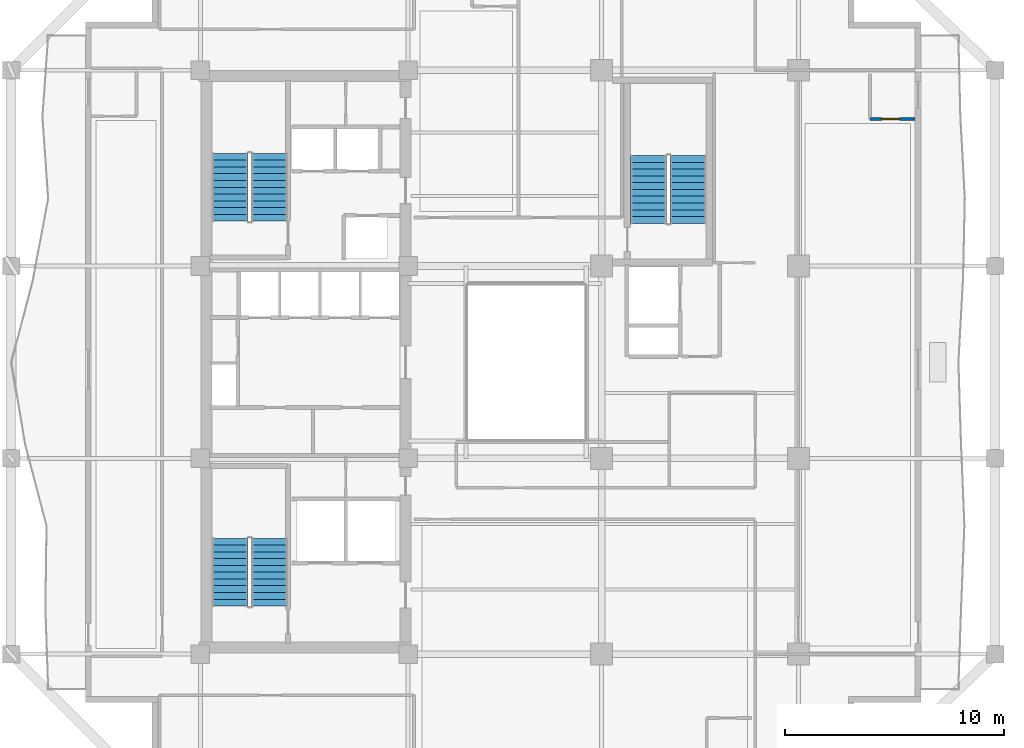
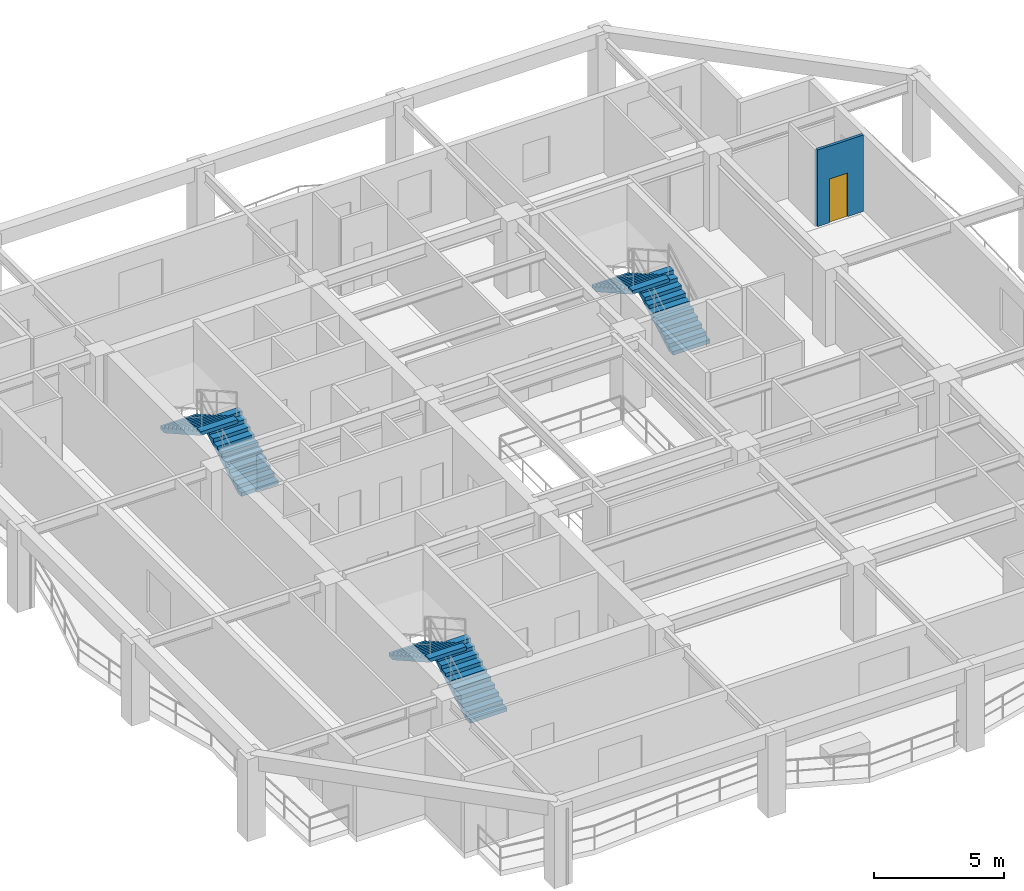
# One storey, part 6 of 10: 6 stair flights, 1 door, 1 wall, 1 opening, 3 elements without a shape of their own.
"""IFC4 building model written with IfcOpenShell, lengths in metres."""

import ifcopenshell
import ifcopenshell.guid

model = None  # the IFC model being written
_history = None  # IfcOwnerHistory: only IFC2X3 demands one
_inside = {}  # id of a spatial element -> (the spatial element, [elements in it])
_under = {}  # id of a project, library or spatial element -> (it, [spatial elements below it])
_declared = {}  # id of a project -> (the project, [libraries it declares])
_typed = {}  # id of a type object -> (the type object, [elements of that type])
_made_of = {}  # id of a material, layer set ... -> (it, [elements and type objects made of it])


def new_model(schema):
    """Start an empty IFC model of exactly this schema.

    Asked for "IFC4X3", IfcOpenShell would pick the latest addendum, in which some entities
    have other attributes; the version numbers below select the first issue.
    IFC2X3 requires an IfcOwnerHistory on every rooted entity: one is made here for all.
    """
    global model, _history
    if schema == "IFC4X3":
        model = ifcopenshell.file(schema_version=(4, 3, 0, 0))
    else:
        model = ifcopenshell.file(schema=schema)
    _inside.clear()
    _under.clear()
    _declared.clear()
    _typed.clear()
    _made_of.clear()
    _history = None
    if model.schema == "IFC2X3":
        org = make("IfcOrganization", Name="unknown")
        user = make(
            "IfcPersonAndOrganization",
            ThePerson=make("IfcPerson", FamilyName="unknown"),
            TheOrganization=org,
        )
        app = make(
            "IfcApplication",
            ApplicationDeveloper=org,
            Version="unknown",
            ApplicationFullName="unknown",
            ApplicationIdentifier="unknown",
        )
        _history = make(
            "IfcOwnerHistory",
            OwningUser=user,
            OwningApplication=app,
            ChangeAction="ADDED",
            CreationDate=0,
        )
    return model


def make(cls, **values):
    """One entity of the class cls with the attributes given. An attribute that is None is left unset."""
    return model.create_entity(
        cls, **{name: value for name, value in values.items() if value is not None}
    )


def rooted(cls, **values):
    """An entity with a GlobalId (a new one), such as an element, a storey or a relation."""
    return make(cls, GlobalId=ifcopenshell.guid.new(), OwnerHistory=_history, **values)


def si_unit(unit_type, name, prefix=None):
    """IfcSIUnit, for example si_unit("LENGTHUNIT", "METRE", prefix="MILLI")."""
    return make("IfcSIUnit", UnitType=unit_type, Prefix=prefix, Name=name)


def assignment(units):
    """IfcUnitAssignment: the units of a project."""
    return None if units is None else make("IfcUnitAssignment", Units=units)


def point(xyz):
    """IfcCartesianPoint."""
    return None if xyz is None else make("IfcCartesianPoint", Coordinates=xyz)


def direction(xyz):
    """IfcDirection."""
    return None if xyz is None else make("IfcDirection", DirectionRatios=xyz)


def frame(location, z_axis=None, x_axis=None):
    """IfcAxis2Placement3D, a coordinate frame: its origin and axes. An axis left out is left unset."""
    return make(
        "IfcAxis2Placement3D",
        Location=point(location),
        Axis=direction(z_axis),
        RefDirection=direction(x_axis),
    )


def frame_2d(location, x_axis=None):
    """IfcAxis2Placement2D, a coordinate frame in the plane: its origin and x axis."""
    return make(
        "IfcAxis2Placement2D", Location=point(location), RefDirection=direction(x_axis)
    )


def origin():
    """The frame at (0, 0, 0) with its axes left unset."""
    return frame((0.0, 0.0, 0.0))


def place(relative_to, where):
    """IfcLocalPlacement: puts the frame where relative to a parent placement (None: the world)."""
    return make(
        "IfcLocalPlacement", PlacementRelTo=relative_to, RelativePlacement=where
    )


def context(
    kind, dimensions, precision=None, world=None, true_north=None, identifier=None
):
    """IfcGeometricRepresentationContext, for example the 3D "Model" context."""
    return make(
        "IfcGeometricRepresentationContext",
        ContextIdentifier=identifier,
        ContextType=kind,
        CoordinateSpaceDimension=dimensions,
        Precision=precision,
        WorldCoordinateSystem=world,
        TrueNorth=true_north,
    )


def subcontext(parent, identifier, kind, view, scale=None):
    """IfcGeometricRepresentationSubContext, for example "Body" below "Model"."""
    return make(
        "IfcGeometricRepresentationSubContext",
        ContextIdentifier=identifier,
        ContextType=kind,
        ParentContext=parent,
        TargetScale=scale,
        TargetView=view,
    )


def project(units=None, contexts=None):
    """IfcProject with its units and contexts."""
    return rooted(
        "IfcProject",
        Name="project",
        RepresentationContexts=contexts,
        UnitsInContext=assignment(units),
    )


def spatial(cls, under=None, at=None, **own):
    """A site, building, storey or space (cls), placed at a placement, below another one or the project."""
    s = rooted(cls, ObjectPlacement=at, **own)
    if under is not None:
        _under.setdefault(under.id(), (under, []))[1].append(s)
    return s


def polyline(points):
    """IfcPolyline through the points."""
    return make("IfcPolyline", Points=[point(p) for p in points])


def profile(cls, at=None, kind="AREA", **sizes):
    """A parametric profile (cls). Its sizes go by their IFC names, for example OverallWidth=200.0."""
    return make(cls, ProfileType=kind, Position=at, **sizes)


def rectangle(**sizes):
    """IfcRectangleProfileDef."""
    return profile("IfcRectangleProfileDef", **sizes)


def outline(outer, holes=None, kind="AREA"):
    """IfcArbitraryClosedProfileDef: a profile drawn as a closed curve; with holes, ...WithVoids."""
    if holes is None:
        return make("IfcArbitraryClosedProfileDef", ProfileType=kind, OuterCurve=outer)
    return make(
        "IfcArbitraryProfileDefWithVoids",
        ProfileType=kind,
        OuterCurve=outer,
        InnerCurves=holes,
    )


def extrude(swept, where, along, depth):
    """IfcExtrudedAreaSolid: the profile swept, set in the frame where, extruded along a direction by depth."""
    return make(
        "IfcExtrudedAreaSolid",
        SweptArea=swept,
        Position=where,
        ExtrudedDirection=direction(along),
        Depth=depth,
    )


def shape(context_of_items, identifier, shape_type, items):
    """IfcShapeRepresentation: the items that make up one representation, for example the "Body"."""
    return make(
        "IfcShapeRepresentation",
        ContextOfItems=context_of_items,
        RepresentationIdentifier=identifier,
        RepresentationType=shape_type,
        Items=items,
    )


def material(Name=None, Category=None):
    """IfcMaterial."""
    return make("IfcMaterial", Name=Name, Category=Category)


def layer(
    of_material, thickness, ventilated=None, Name=None, Category=None, Priority=None
):
    """IfcMaterialLayer: one layer of a wall or slab, of a material (None: an air gap)."""
    return make(
        "IfcMaterialLayer",
        Material=of_material,
        LayerThickness=thickness,
        IsVentilated=ventilated,
        Name=Name,
        Category=Category,
        Priority=Priority,
    )


def layer_set(layers, Name=None):
    """IfcMaterialLayerSet."""
    return make("IfcMaterialLayerSet", MaterialLayers=layers, LayerSetName=Name)


def made_of(thing, what):
    """Note that an element or type object is made of a material, layer set ...; save() writes the relation."""
    if what is not None:
        _made_of.setdefault(what.id(), (what, []))[1].append(thing)
    return thing


def type_object(cls, material=None, **own):
    """A type object (cls), such as IfcWallType, which elements share."""
    return made_of(rooted(cls, **own), material)


def element(
    cls,
    number,
    at=None,
    inside=None,
    cuts=None,
    type_object=None,
    material=None,
    context=None,
    identifier="Body",
    shape_type=None,
    held_by="IfcProductDefinitionShape",
    body=None,
    shapes=None,
    **own,
):
    """One element of the class cls, such as IfcWall. Its Tag is "e" and its number.

    at: its placement. inside: the storey or other place that contains it. cuts: it is an
    opening in that element (IfcRelVoidsElement). A single representation is given by context,
    identifier, shape_type and body (its items); several are given by shapes. held_by: the class
    of the entity that holds the representations. save() writes the other relations.
    """
    e = rooted(cls, Tag="e%d" % number, ObjectPlacement=at, **own)
    if body is not None:
        shapes = [shape(context, identifier, shape_type, body)]
    if shapes is not None:
        e.Representation = make(held_by, Representations=shapes)
    if inside is not None:
        _inside.setdefault(inside.id(), (inside, []))[1].append(e)
    if cuts is not None:
        rooted(
            "IfcRelVoidsElement", RelatingBuildingElement=cuts, RelatedOpeningElement=e
        )
    if type_object is not None:
        _typed.setdefault(type_object.id(), (type_object, []))[1].append(e)
    return made_of(e, material)


def fill(opening, filler):
    """IfcRelFillsElement: the door or window that sits in an opening."""
    return rooted(
        "IfcRelFillsElement",
        RelatingOpeningElement=opening,
        RelatedBuildingElement=filler,
    )


def aggregate(whole, parts):
    """IfcRelAggregates: a whole, such as a stair, and the parts it consists of."""
    return rooted("IfcRelAggregates", RelatingObject=whole, RelatedObjects=parts)


def save(model, path):
    """Write the relations noted so far, then the file.

    IfcRelAggregates (storeys below a building ...), IfcRelContainedInSpatialStructure (elements
    in a storey), IfcRelDefinesByType, IfcRelAssociatesMaterial and IfcRelDeclares: one each for
    every whole, place, type object, material and project.
    """
    for whole, parts in _under.values():
        aggregate(whole, parts)
    for where, things in _inside.values():
        rooted(
            "IfcRelContainedInSpatialStructure",
            RelatedElements=things,
            RelatingStructure=where,
        )
    for kind, things in _typed.values():
        rooted("IfcRelDefinesByType", RelatedObjects=things, RelatingType=kind)
    for what, things in _made_of.values():
        rooted("IfcRelAssociatesMaterial", RelatedObjects=things, RelatingMaterial=what)
    for by, libraries in _declared.values():
        rooted("IfcRelDeclares", RelatingContext=by, RelatedDefinitions=libraries)
    model.write(path)


model = new_model("IFC4")

# Units and contexts
model_context = context("Model", 3, precision=1e-05, world=origin(), true_north=direction((0.0, 1.0)))
body_context = subcontext(model_context, "Body", "Model", "MODEL_VIEW")
ifc_project = project(units=[si_unit("LENGTHUNIT", "METRE"), si_unit("AREAUNIT", "SQUARE_METRE"), si_unit("VOLUMEUNIT", "CUBIC_METRE"), si_unit("PLANEANGLEUNIT", "RADIAN"), si_unit("MASSUNIT", "GRAM", prefix="KILO")], contexts=[model_context])

# Site, building, storey
site_placement = place(None, origin())
site = spatial("IfcSite", under=ifc_project, at=site_placement, CompositionType="ELEMENT")
building_placement = place(site_placement, origin())
building = spatial("IfcBuilding", under=site, at=building_placement, Name="Kundavana Baori Tower", CompositionType="ELEMENT")
storey_placement = place(building_placement, frame((0.0, 0.0, 107.85009765625)))
storey = spatial("IfcBuildingStorey", under=building, at=storey_placement, Name="L25", CompositionType="ELEMENT", Elevation=107.85009765625)

# Wall, opening, door
ifc_material_1 = material(Name="Autoclaved Aerated Concrete Blockwork Masonry", Category="masonry")
ifc_layer = layer(ifc_material_1, 0.125, Name="WL-WET-120")
ifc_layer_set = layer_set([ifc_layer], Name="Autoclaved Aerated Concrete Blockwork Masonry")
wall_type = type_object("IfcWallType", Name="WL-WET-120", PredefinedType="PLUMBINGWALL", material=ifc_layer_set)
wall_placement = place(storey_placement, frame((46.070068359375, 39.719970703125, 0.0), z_axis=(0.0, 0.0, 1.0), x_axis=(1.0, 0.0, 0.0)))
wall = element("IfcWall", 1, at=wall_placement, inside=storey, type_object=wall_type, Name="WL-L25-HK-E1-BS", PredefinedType="PLUMBINGWALL", context=body_context, shape_type="SweptSolid", body=[
    extrude(rectangle(XDim=2.050048828125, YDim=0.125, at=frame_2d((1.02490234375, 0.0))), origin(), (0.0, 0.0, 1.0), 3.599853515625),
])
opening_placement = place(wall_placement, frame((0.550048828125, 0.0, 0.0)))
opening = element("IfcOpeningElement", 2, at=opening_placement, cuts=wall, Name="Opening WD-080", PredefinedType="OPENING", context=body_context, shape_type="SweptSolid", body=[
    extrude(rectangle(XDim=0.800048828125, YDim=2.050048828125, at=frame_2d((0.39990234375, 1.02490234375))), frame((0.0, 0.072509765625, 0.0), z_axis=(0.0, -1.0, 0.0), x_axis=(1.0, 0.0, 0.0)), (0.0, 0.0, 1.0), 0.14501953125),
])
ifc_material_2 = material(Name="Engineered Teak Solid-Core Timber Veneer", Category="wood")
door_type = type_object("IfcDoorType", Name="DR-WET-800", OperationType="NOTDEFINED", PredefinedType="DOOR", material=ifc_material_2)
door_placement = place(opening_placement, frame((0.800048828125, 0.0, 0.0), z_axis=(0.0, 0.0, 1.0), x_axis=(-1.0, 0.0, 0.0)))
door = element("IfcDoor", 3, at=door_placement, inside=storey, type_object=door_type, Name="DR-L25-HK-E1-ENS", OperationType="SINGLE_SWING_LEFT", OverallHeight=2.050048828125, OverallWidth=0.800048828125, PredefinedType="DOOR", context=body_context, shape_type="SweptSolid", body=[
    extrude(rectangle(XDim=0.800048828125, YDim=2.050048828125, at=frame_2d((0.39990234375, 1.02490234375))), frame((0.0, 0.02490234375, 0.0), z_axis=(0.0, -1.0, 0.0), x_axis=(1.0, 0.0, 0.0)), (0.0, 0.0, 1.0), 0.050048828125),
])
fill(opening, door)

# Stair, stair flights
ifc_material_3 = material(Name="Concrete C40/50", Category="concrete")
stair_type = type_object("IfcStairType", Name="STR-DOG-1650", PredefinedType="HALF_TURN_STAIR", material=ifc_material_3)
stair_1_placement = place(storey_placement, origin())
stair_1 = element("IfcStair", 4, at=stair_1_placement, inside=storey, type_object=stair_type, Name="L25 Protected Exit Stair ST1", PredefinedType="HALF_TURN_STAIR")
ifc_material_4 = material(Name="Concrete C40/50", Category="concrete")
stair_flight_type = type_object("IfcStairFlightType", Name="SFL-RC-1650", PredefinedType="STRAIGHT", material=ifc_material_4)
stair_flight_1_placement = place(storey_placement, frame((18.614990234375, 17.449951171875, 0.0), z_axis=(0.0, 0.0, 1.0), x_axis=(0.0, 1.0, 0.0)))
stair_flight_1 = element("IfcStairFlight", 5, at=stair_flight_1_placement, type_object=stair_flight_type, Name="ST1 flight 1", NumberOfRisers=11, NumberOfTreads=10, PredefinedType="STRAIGHT", RiserHeight=0.175, TreadLength=0.31, context=body_context, shape_type="SweptSolid", body=[
    extrude(outline(polyline([(0.0, 0.0), (0.0, 0.175048828125), (0.31005859375, 0.175048828125), (0.31005859375, 0.35009765625), (0.6201171875, 0.35009765625), (0.6201171875, 0.52490234375), (0.929931640625, 0.52490234375), (0.929931640625, 0.699951171875), (1.239990234375, 0.699951171875), (1.239990234375, 0.875), (1.550048828125, 0.875), (1.550048828125, 1.050048828125), (1.860107421875, 1.050048828125), (1.860107421875, 1.22509765625), (2.169921875, 1.22509765625), (2.169921875, 1.39990234375), (2.47998046875, 1.39990234375), (2.47998046875, 1.574951171875), (2.7900390625, 1.574951171875), (2.7900390625, 1.75), (3.10009765625, 1.75), (3.10009765625, 1.925048828125), (3.10009765625, 1.577880859375), (0.304931640625, 0.0), (0.0, 0.0)])), frame((0.0, 0.824951171875, 0.0), z_axis=(0.0, -1.0, 0.0), x_axis=(1.0, 0.0, 0.0)), (0.0, 0.0, 1.0), 1.64990234375),
])
stair_flight_2_placement = place(storey_placement, frame((16.804931640625, 20.550048828125, 1.9248046875), z_axis=(0.0, 0.0, 1.0), x_axis=(0.0, -1.0, 0.0)))
stair_flight_2 = element("IfcStairFlight", 6, at=stair_flight_2_placement, type_object=stair_flight_type, Name="ST1 flight 2", NumberOfRisers=11, NumberOfTreads=10, PredefinedType="STRAIGHT", RiserHeight=0.175, TreadLength=0.31, context=body_context, shape_type="SweptSolid", body=[
    extrude(outline(polyline([(0.0, 0.0), (0.0, 0.175048828125), (0.31005859375, 0.175048828125), (0.31005859375, 0.35009765625), (0.6201171875, 0.35009765625), (0.6201171875, 0.52490234375), (0.929931640625, 0.52490234375), (0.929931640625, 0.699951171875), (1.239990234375, 0.699951171875), (1.239990234375, 0.875), (1.550048828125, 0.875), (1.550048828125, 1.050048828125), (1.860107421875, 1.050048828125), (1.860107421875, 1.22509765625), (2.169921875, 1.22509765625), (2.169921875, 1.39990234375), (2.47998046875, 1.39990234375), (2.47998046875, 1.574951171875), (2.7900390625, 1.574951171875), (2.7900390625, 1.75), (3.10009765625, 1.75), (3.10009765625, 1.925048828125), (3.10009765625, 1.577880859375), (0.304931640625, 0.0), (0.0, 0.0)])), frame((0.0, 0.824951171875, 0.0), z_axis=(0.0, -1.0, 0.0), x_axis=(1.0, 0.0, 0.0)), (0.0, 0.0, 1.0), 1.64990234375),
])
aggregate(stair_1, [stair_flight_1, stair_flight_2])

stair_2_placement = place(storey_placement, origin())
stair_2 = element("IfcStair", 7, at=stair_2_placement, inside=storey, type_object=stair_type, Name="L25 Protected Exit Stair ST2", PredefinedType="HALF_TURN_STAIR")
stair_flight_3_placement = place(storey_placement, frame((18.614990234375, 35.050048828125, 0.0), z_axis=(0.0, 0.0, 1.0), x_axis=(0.0, 1.0, 0.0)))
stair_flight_3 = element("IfcStairFlight", 8, at=stair_flight_3_placement, type_object=stair_flight_type, Name="ST2 flight 1", NumberOfRisers=11, NumberOfTreads=10, PredefinedType="STRAIGHT", RiserHeight=0.175, TreadLength=0.31, context=body_context, shape_type="SweptSolid", body=[
    extrude(outline(polyline([(0.0, 0.0), (0.0, 0.175048828125), (0.31005859375, 0.175048828125), (0.31005859375, 0.35009765625), (0.6201171875, 0.35009765625), (0.6201171875, 0.52490234375), (0.929931640625, 0.52490234375), (0.929931640625, 0.699951171875), (1.239990234375, 0.699951171875), (1.239990234375, 0.875), (1.550048828125, 0.875), (1.550048828125, 1.050048828125), (1.860107421875, 1.050048828125), (1.860107421875, 1.22509765625), (2.169921875, 1.22509765625), (2.169921875, 1.39990234375), (2.47998046875, 1.39990234375), (2.47998046875, 1.574951171875), (2.7900390625, 1.574951171875), (2.7900390625, 1.75), (3.10009765625, 1.75), (3.10009765625, 1.925048828125), (3.10009765625, 1.577880859375), (0.304931640625, 0.0), (0.0, 0.0)])), frame((0.0, 0.824951171875, 0.0), z_axis=(0.0, -1.0, 0.0), x_axis=(1.0, 0.0, 0.0)), (0.0, 0.0, 1.0), 1.64990234375),
])
stair_flight_4_placement = place(storey_placement, frame((16.804931640625, 38.14990234375, 1.9248046875), z_axis=(0.0, 0.0, 1.0), x_axis=(0.0, -1.0, 0.0)))
stair_flight_4 = element("IfcStairFlight", 9, at=stair_flight_4_placement, type_object=stair_flight_type, Name="ST2 flight 2", NumberOfRisers=11, NumberOfTreads=10, PredefinedType="STRAIGHT", RiserHeight=0.175, TreadLength=0.31, context=body_context, shape_type="SweptSolid", body=[
    extrude(outline(polyline([(0.0, 0.0), (0.0, 0.175048828125), (0.31005859375, 0.175048828125), (0.31005859375, 0.35009765625), (0.6201171875, 0.35009765625), (0.6201171875, 0.52490234375), (0.929931640625, 0.52490234375), (0.929931640625, 0.699951171875), (1.239990234375, 0.699951171875), (1.239990234375, 0.875), (1.550048828125, 0.875), (1.550048828125, 1.050048828125), (1.860107421875, 1.050048828125), (1.860107421875, 1.22509765625), (2.169921875, 1.22509765625), (2.169921875, 1.39990234375), (2.47998046875, 1.39990234375), (2.47998046875, 1.574951171875), (2.7900390625, 1.574951171875), (2.7900390625, 1.75), (3.10009765625, 1.75), (3.10009765625, 1.925048828125), (3.10009765625, 1.577880859375), (0.304931640625, 0.0), (0.0, 0.0)])), frame((0.0, 0.824951171875, 0.0), z_axis=(0.0, -1.0, 0.0), x_axis=(1.0, 0.0, 0.0)), (0.0, 0.0, 1.0), 1.64990234375),
])
aggregate(stair_2, [stair_flight_3, stair_flight_4])

stair_3_placement = place(storey_placement, origin())
stair_3 = element("IfcStair", 10, at=stair_3_placement, inside=storey, type_object=stair_type, Name="L25 Protected Exit Stair ST3", PredefinedType="HALF_TURN_STAIR")
stair_flight_5_placement = place(storey_placement, frame((37.7548828125, 34.949951171875, 0.0), z_axis=(0.0, 0.0, 1.0), x_axis=(0.0, 1.0, 0.0)))
stair_flight_5 = element("IfcStairFlight", 11, at=stair_flight_5_placement, type_object=stair_flight_type, Name="ST3 flight 1", NumberOfRisers=11, NumberOfTreads=10, PredefinedType="STRAIGHT", RiserHeight=0.175, TreadLength=0.31, context=body_context, shape_type="SweptSolid", body=[
    extrude(outline(polyline([(0.0, 0.0), (0.0, 0.175048828125), (0.31005859375, 0.175048828125), (0.31005859375, 0.35009765625), (0.6201171875, 0.35009765625), (0.6201171875, 0.52490234375), (0.929931640625, 0.52490234375), (0.929931640625, 0.699951171875), (1.239990234375, 0.699951171875), (1.239990234375, 0.875), (1.550048828125, 0.875), (1.550048828125, 1.050048828125), (1.860107421875, 1.050048828125), (1.860107421875, 1.22509765625), (2.169921875, 1.22509765625), (2.169921875, 1.39990234375), (2.47998046875, 1.39990234375), (2.47998046875, 1.574951171875), (2.7900390625, 1.574951171875), (2.7900390625, 1.75), (3.10009765625, 1.75), (3.10009765625, 1.925048828125), (3.10009765625, 1.577880859375), (0.304931640625, 0.0), (0.0, 0.0)])), frame((0.0, 0.824951171875, 0.0), z_axis=(0.0, -1.0, 0.0), x_axis=(1.0, 0.0, 0.0)), (0.0, 0.0, 1.0), 1.64990234375),
])
stair_flight_6_placement = place(storey_placement, frame((35.945068359375, 38.050048828125, 1.9248046875), z_axis=(0.0, 0.0, 1.0), x_axis=(0.0, -1.0, 0.0)))
stair_flight_6 = element("IfcStairFlight", 12, at=stair_flight_6_placement, type_object=stair_flight_type, Name="ST3 flight 2", NumberOfRisers=11, NumberOfTreads=10, PredefinedType="STRAIGHT", RiserHeight=0.175, TreadLength=0.31, context=body_context, shape_type="SweptSolid", body=[
    extrude(outline(polyline([(0.0, 0.0), (0.0, 0.175048828125), (0.31005859375, 0.175048828125), (0.31005859375, 0.35009765625), (0.6201171875, 0.35009765625), (0.6201171875, 0.52490234375), (0.929931640625, 0.52490234375), (0.929931640625, 0.699951171875), (1.239990234375, 0.699951171875), (1.239990234375, 0.875), (1.550048828125, 0.875), (1.550048828125, 1.050048828125), (1.860107421875, 1.050048828125), (1.860107421875, 1.22509765625), (2.169921875, 1.22509765625), (2.169921875, 1.39990234375), (2.47998046875, 1.39990234375), (2.47998046875, 1.574951171875), (2.7900390625, 1.574951171875), (2.7900390625, 1.75), (3.10009765625, 1.75), (3.10009765625, 1.925048828125), (3.10009765625, 1.577880859375), (0.304931640625, 0.0), (0.0, 0.0)])), frame((0.0, 0.824951171875, 0.0), z_axis=(0.0, -1.0, 0.0), x_axis=(1.0, 0.0, 0.0)), (0.0, 0.0, 1.0), 1.64990234375),
])
aggregate(stair_3, [stair_flight_5, stair_flight_6])

save(model, "model.ifc")
